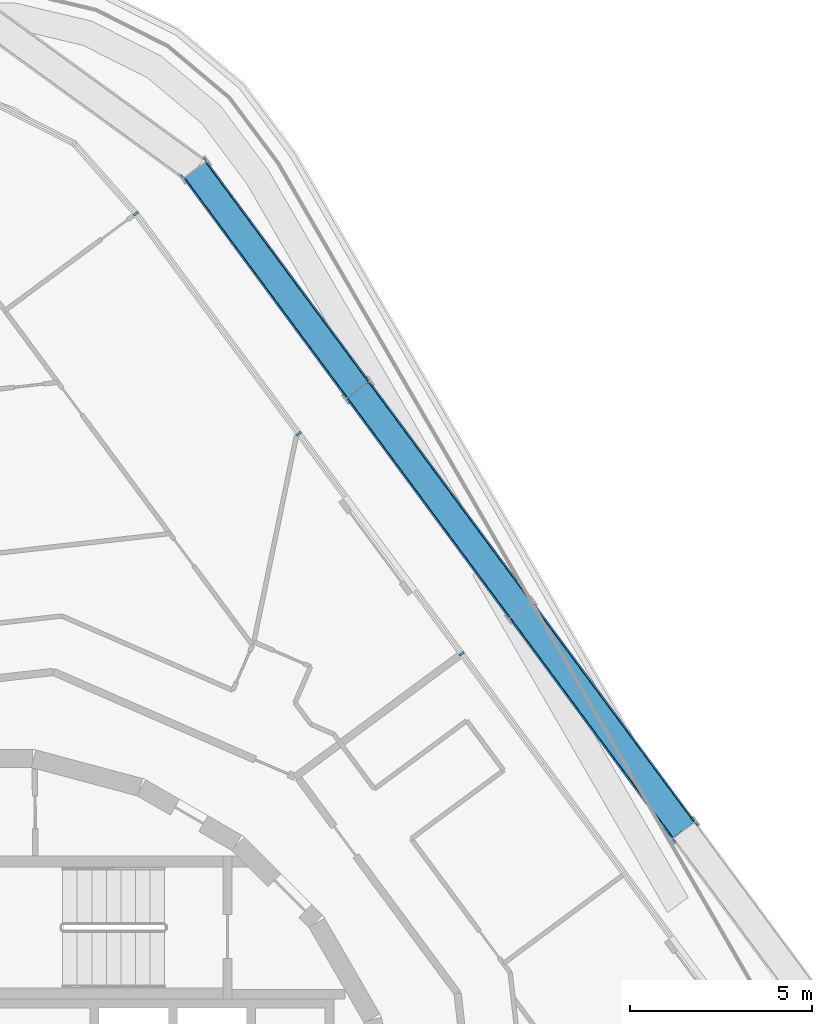
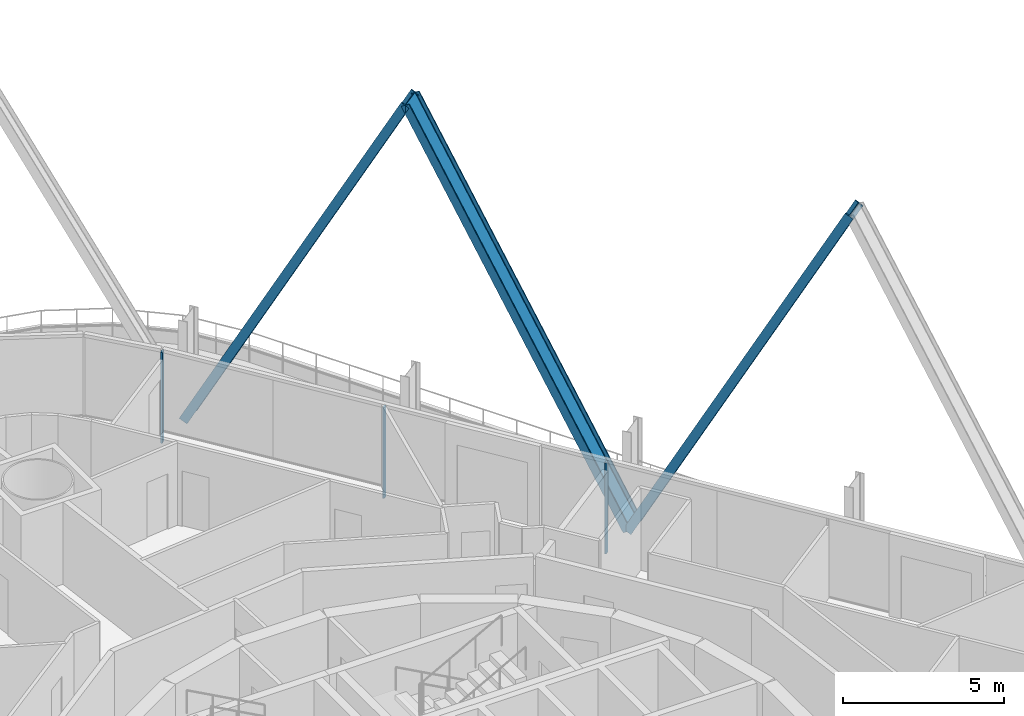
# One storey, part 11 of 32: 6 members, 2 elements without a shape of their own.
"""IFC4 building model written with IfcOpenShell, lengths in metres."""

from ifc_helpers import new_model, si_unit, direction, frame, origin, origin_2d, place, context, subcontext, project, spatial, rectangle, i_section, extrude, material, layer, layer_set, material_profile, profile_set, type_object, element, aggregate, save


model = new_model("IFC4")

# Units and contexts
model_context = context("Model", 3, precision=1e-05, world=origin(), true_north=direction((0.0, 1.0)))
body_context = subcontext(model_context, "Body", "Model", "MODEL_VIEW")
ifc_project = project(units=[si_unit("LENGTHUNIT", "METRE"), si_unit("AREAUNIT", "SQUARE_METRE"), si_unit("VOLUMEUNIT", "CUBIC_METRE"), si_unit("PLANEANGLEUNIT", "RADIAN"), si_unit("MASSUNIT", "GRAM", prefix="KILO")], contexts=[model_context])

# Site, building, storey
site_placement = place(None, origin())
site = spatial("IfcSite", under=ifc_project, at=site_placement, CompositionType="ELEMENT")
building_placement = place(site_placement, origin())
building = spatial("IfcBuilding", under=site, at=building_placement, Name="Spindle Arch Residences", CompositionType="ELEMENT")
storey_placement = place(building_placement, frame((0.0, 0.0, 76.699951171875)))
storey = spatial("IfcBuildingStorey", under=building, at=storey_placement, Name="L17", CompositionType="ELEMENT", Elevation=76.699951171875)

# Curtain wall, members
ifc_material_1 = material(Name="Aluminium bronze unitised frame with tinted glass", Category="aluminium")
ifc_layer_1 = layer(ifc_material_1, 0.159912109375)
ifc_layer_set_1 = layer_set([ifc_layer_1], Name="CW-C typical residential unitised wall")
curtain_wall_type_1 = type_object("IfcCurtainWallType", Name="CW-C typical residential unitised wall", PredefinedType="NOTDEFINED", material=ifc_layer_set_1)
curtain_wall_1_placement = place(storey_placement, origin())
curtain_wall_1 = element("IfcCurtainWall", 1, at=curtain_wall_1_placement, inside=storey, type_object=curtain_wall_type_1, Name="CW-C L17 run 2", PredefinedType="NOTDEFINED")
ifc_material_2 = material(Name="Aluminium bronze anodised mullion", Category="aluminium")
ifc_material_profile_1 = material_profile(ifc_material_2, rectangle(XDim=0.159912109375, YDim=0.06005859375, at=origin_2d()), Name="MU 60x160")
ifc_profile_set_1 = profile_set([ifc_material_profile_1], Name="Aluminium bronze anodised mullion")
member_type_1 = type_object("IfcMemberType", Name="Bronze mullion 60x160", PredefinedType="MULLION", material=ifc_profile_set_1)
member_1_placement = place(storey_placement, frame((13.308349609375, 14.5244140625, -0.449951171875), z_axis=(0.0, 0.0, 1.0), x_axis=(-0.803856860617, -0.594822786751, 0.0)))
member_1 = element("IfcMember", 2, at=member_1_placement, type_object=member_type_1, Name="CW-C mullion 08", PredefinedType="MULLION", context=body_context, shape_type="SweptSolid", body=[
    extrude(rectangle(XDim=0.159912109375, YDim=0.06005859375, at=origin_2d()), origin(), (0.0, 0.0, 1.0), 3.449951171875),
])
member_2_placement = place(storey_placement, frame((8.8359375, 20.568603515625, -0.449951171875), z_axis=(0.0, 0.0, 1.0), x_axis=(-0.803856860617, -0.594822786751, 0.0)))
member_2 = element("IfcMember", 3, at=member_2_placement, type_object=member_type_1, Name="CW-C mullion 09", PredefinedType="MULLION", context=body_context, shape_type="SweptSolid", body=[
    extrude(rectangle(XDim=0.159912109375, YDim=0.06005859375, at=origin_2d()), origin(), (0.0, 0.0, 1.0), 3.449951171875),
])
aggregate(curtain_wall_1, [member_1, member_2])

# Curtain wall, member
ifc_material_3 = material(Name="Aluminium bronze unitised frame with tinted glass", Category="aluminium")
ifc_layer_2 = layer(ifc_material_3, 0.159912109375)
ifc_layer_set_2 = layer_set([ifc_layer_2], Name="CW-D corner wall on the fillet arcs")
curtain_wall_type_2 = type_object("IfcCurtainWallType", Name="CW-D corner wall on the fillet arcs", PredefinedType="NOTDEFINED", material=ifc_layer_set_2)
curtain_wall_2_placement = place(storey_placement, origin())
curtain_wall_2 = element("IfcCurtainWall", 4, at=curtain_wall_2_placement, inside=storey, type_object=curtain_wall_type_2, Name="CW-D L17 run 3", PredefinedType="NOTDEFINED")
member_3_placement = place(storey_placement, frame((4.36376953125, 26.612548828125, -0.449951171875), z_axis=(0.0, 0.0, 1.0), x_axis=(-0.750646632877, -0.660703891733, 0.0)))
member_3 = element("IfcMember", 5, at=member_3_placement, type_object=member_type_1, Name="CW-D mullion 00", PredefinedType="MULLION", context=body_context, shape_type="SweptSolid", body=[
    extrude(rectangle(XDim=0.159912109375, YDim=0.06005859375, at=origin_2d()), origin(), (0.0, 0.0, 1.0), 3.449951171875),
])
aggregate(curtain_wall_2, [member_3])

# Members
ifc_material_4 = material(Name="Steel S460ML, intumescent coating R 240", Category="steel")
ifc_material_profile_2 = material_profile(ifc_material_4, i_section(OverallWidth=0.302978515625, OverallDepth=0.81396484375, WebThickness=0.02099609375, FlangeThickness=0.0400390625, FilletRadius=0.030029296875, at=origin_2d()), Name="HEM 800")
ifc_profile_set_2 = profile_set([ifc_material_profile_2], Name="Steel S460ML, intumescent coating R 240")
member_type_2 = type_object("IfcMemberType", Name="Diagrid diagonal HEM 800", PredefinedType="BRACE", material=ifc_profile_set_2)
for number, where, z_axis, x_axis, name in (
    (6, (14.93212890625, 15.72607421875, -0.699951171875), (0.28034745929, -0.378872321068, 0.881964322634), (-0.524608472909, 0.708976033834, 0.471316171589), "Diagrid diagonal 2.1.8"),
    (7, (14.93212890625, 15.72607421875, -0.699951171875), (-0.280349084761, 0.378859214059, 0.881969436316), (0.524625207952, -0.708970011903, 0.471306602334), "Diagrid diagonal 2.1.9"),
    (8, (5.987548828125, 27.814208984375, -0.699951171875), (0.28033335834, -0.378873946524, 0.88196810648), (-0.524592217759, 0.708992768591, 0.471309090887), "Diagrid diagonal 2.1.10"),
):
    element("IfcMember", number, at=place(storey_placement, frame(where, z_axis=z_axis, x_axis=x_axis)), inside=storey, type_object=member_type_2, Name=name, PredefinedType="BRACE", context=body_context, shape_type="SweptSolid", body=[
        extrude(i_section(OverallWidth=0.302978515625, OverallDepth=0.81396484375, WebThickness=0.02099609375, FlangeThickness=0.0400390625, FilletRadius=0.030029296875, at=origin_2d()), origin(), (0.0, 0.0, 1.0), 15.953125),
    ])

save(model, "model.ifc")
